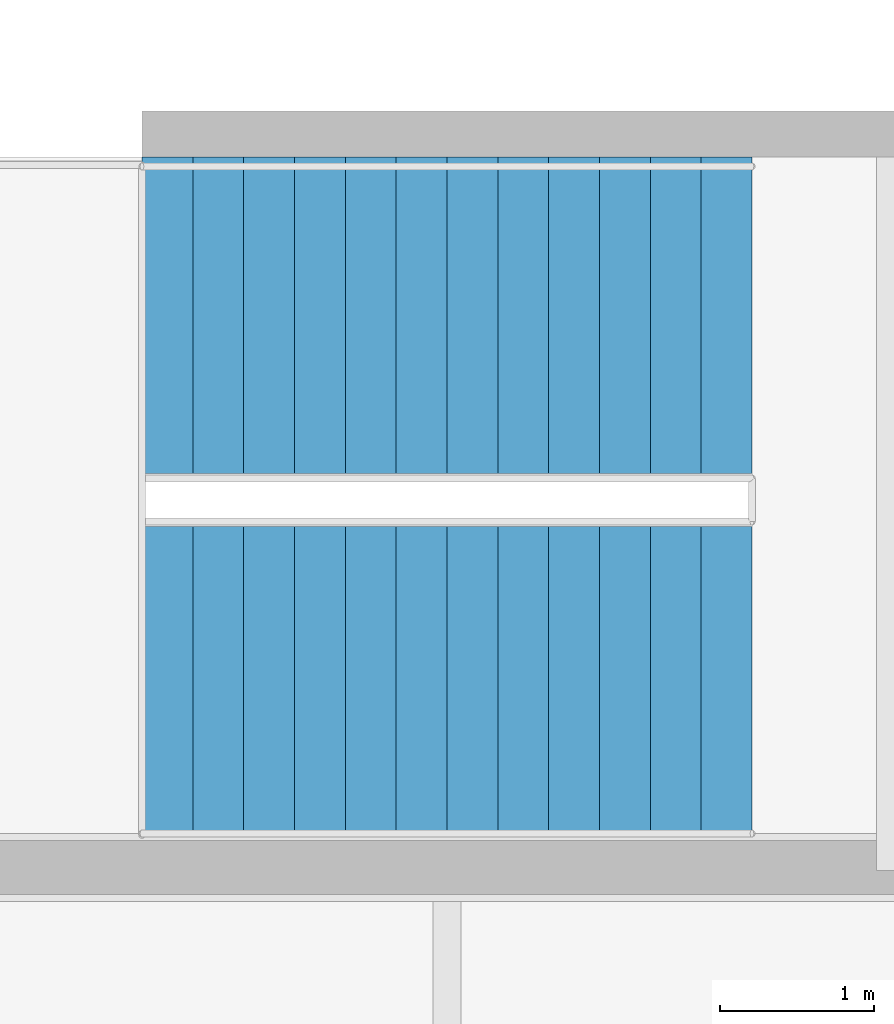
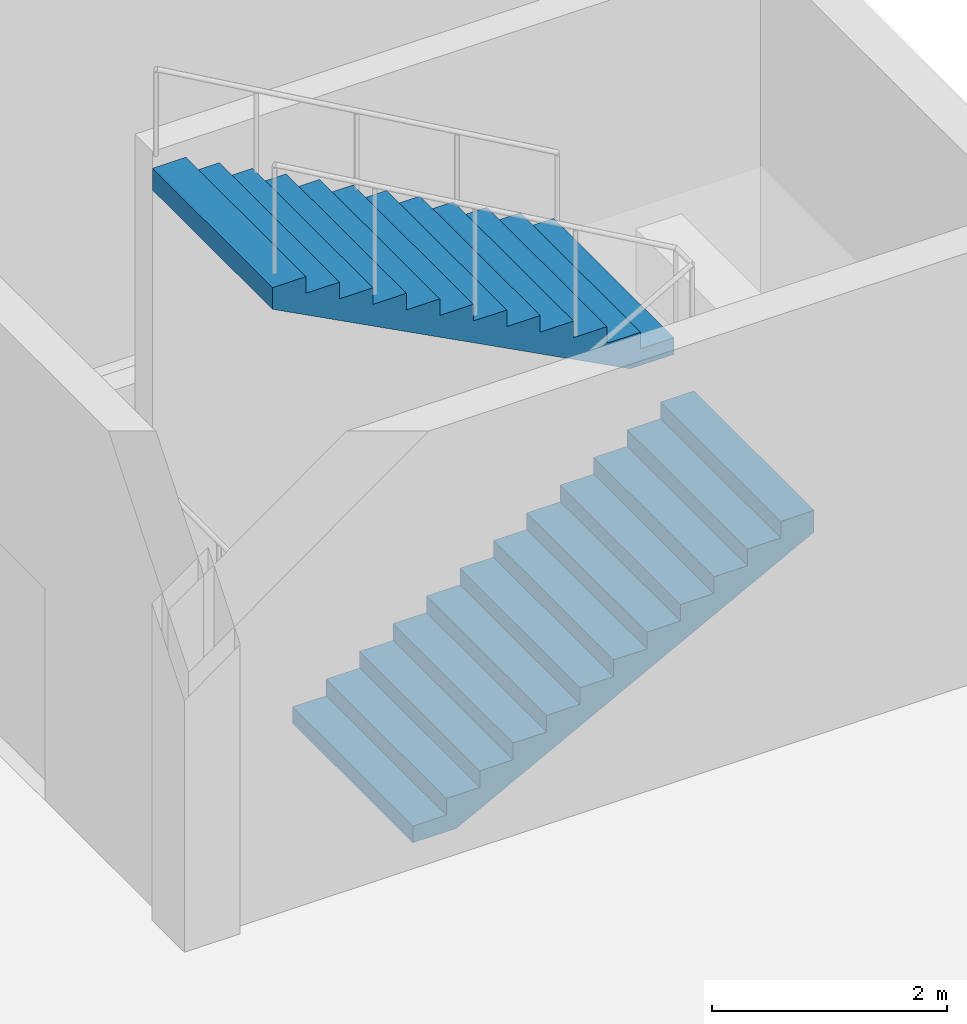
# One storey, part 58 of 67: 2 stair flights, 1 element without a shape of its own.
"""IFC4 building model written with IfcOpenShell, lengths in metres."""

from ifc_helpers import new_model, si_unit, direction, frame, origin, place, context, subcontext, project, spatial, polyline, outline, extrude, material, type_object, element, aggregate, save


model = new_model("IFC4")

# Units and contexts
model_context = context("Model", 3, precision=1e-05, world=origin(), true_north=direction((0.0, 1.0)))
body_context = subcontext(model_context, "Body", "Model", "MODEL_VIEW")
ifc_project = project(units=[si_unit("LENGTHUNIT", "METRE"), si_unit("AREAUNIT", "SQUARE_METRE"), si_unit("VOLUMEUNIT", "CUBIC_METRE"), si_unit("PLANEANGLEUNIT", "RADIAN"), si_unit("MASSUNIT", "GRAM", prefix="KILO")], contexts=[model_context])

# Site, building, storey
site_placement = place(None, origin())
site = spatial("IfcSite", under=ifc_project, at=site_placement, CompositionType="ELEMENT")
building_placement = place(site_placement, origin())
building = spatial("IfcBuilding", under=site, at=building_placement, Name="Pellamere Symphony Hall", CompositionType="ELEMENT")
storey_placement = place(building_placement, frame((0.0, 0.0, 19.5)))
storey = spatial("IfcBuildingStorey", under=building, at=storey_placement, Name="L04", CompositionType="ELEMENT", Elevation=19.5)

# Stair, stair flights
ifc_material = material(Name="Concrete 40 MPa", Category="concrete")
stair_type = type_object("IfcStairType", Name="Stair ST-B W2050", PredefinedType="HALF_TURN_STAIR", material=ifc_material)
stair_placement = place(storey_placement, origin())
stair = element("IfcStair", 1, at=stair_placement, inside=storey, type_object=stair_type, Name="Exit Stair ST05-L04 (L04 to L05)", PredefinedType="HALF_TURN_STAIR")
stair_flight_type = type_object("IfcStairFlightType", Name="Stair Flight SF-B W2050", PredefinedType="STRAIGHT", material=ifc_material)
stair_flight_1_placement = place(storey_placement, frame((166.625, 70.784912109375, 0.0), z_axis=(0.0, 0.0, 1.0), x_axis=(1.0, 0.0, 0.0)))
stair_flight_1 = element("IfcStairFlight", 2, at=stair_flight_1_placement, type_object=stair_flight_type, Name="Stair ST05-L04 Lower Flight (L04)", NumberOfRisers=13, NumberOfTreads=12, PredefinedType="STRAIGHT", RiserHeight=0.17308, TreadLength=0.32917, context=body_context, shape_type="SweptSolid", body=[
    extrude(outline(polyline([(0.0, 0.0), (0.0, 0.173095703125), (0.3291015625, 0.173095703125), (0.3291015625, 0.34619140625), (0.658447265625, 0.34619140625), (0.658447265625, 0.519287109375), (0.987548828125, 0.519287109375), (0.987548828125, 0.6923828125), (1.316650390625, 0.6923828125), (1.316650390625, 0.865478515625), (1.645751953125, 0.865478515625), (1.645751953125, 1.03857421875), (1.97509765625, 1.03857421875), (1.97509765625, 1.211669921875), (2.30419921875, 1.211669921875), (2.30419921875, 1.384521484375), (2.63330078125, 1.384521484375), (2.63330078125, 1.5576171875), (2.962646484375, 1.5576171875), (2.962646484375, 1.730712890625), (3.291748046875, 1.730712890625), (3.291748046875, 1.90380859375), (3.620849609375, 1.90380859375), (3.620849609375, 2.076904296875), (3.949951171875, 2.076904296875), (3.949951171875, 2.25), (3.949951171875, 1.85107421875), (0.4296875, 0.0), (0.0, 0.0)])), frame((0.0, 1.02490234375, 0.0), z_axis=(0.0, -1.0, 0.0), x_axis=(1.0, 0.0, 0.0)), (0.0, 0.0, 1.0), 2.050048828125),
])
stair_flight_2_placement = place(storey_placement, frame((170.574951171875, 73.175048828125, 2.25), z_axis=(0.0, 0.0, 1.0), x_axis=(-1.0, 0.0, 0.0)))
stair_flight_2 = element("IfcStairFlight", 3, at=stair_flight_2_placement, type_object=stair_flight_type, Name="Stair ST05-L04 Upper Flight (L04)", NumberOfRisers=13, NumberOfTreads=12, PredefinedType="STRAIGHT", RiserHeight=0.17308, TreadLength=0.32917, context=body_context, shape_type="SweptSolid", body=[
    extrude(outline(polyline([(0.0, 0.0), (0.0, 0.173095703125), (0.3291015625, 0.173095703125), (0.3291015625, 0.34619140625), (0.658447265625, 0.34619140625), (0.658447265625, 0.519287109375), (0.987548828125, 0.519287109375), (0.987548828125, 0.6923828125), (1.316650390625, 0.6923828125), (1.316650390625, 0.865478515625), (1.645751953125, 0.865478515625), (1.645751953125, 1.03857421875), (1.97509765625, 1.03857421875), (1.97509765625, 1.211669921875), (2.30419921875, 1.211669921875), (2.30419921875, 1.384521484375), (2.63330078125, 1.384521484375), (2.63330078125, 1.5576171875), (2.962646484375, 1.5576171875), (2.962646484375, 1.730712890625), (3.291748046875, 1.730712890625), (3.291748046875, 1.90380859375), (3.620849609375, 1.90380859375), (3.620849609375, 2.076904296875), (3.949951171875, 2.076904296875), (3.949951171875, 2.25), (3.949951171875, 1.85107421875), (0.4296875, 0.0), (0.0, 0.0)])), frame((0.0, 1.02490234375, 0.0), z_axis=(0.0, -1.0, 0.0), x_axis=(1.0, 0.0, 0.0)), (0.0, 0.0, 1.0), 2.050048828125),
])
aggregate(stair, [stair_flight_1, stair_flight_2])

save(model, "model.ifc")
